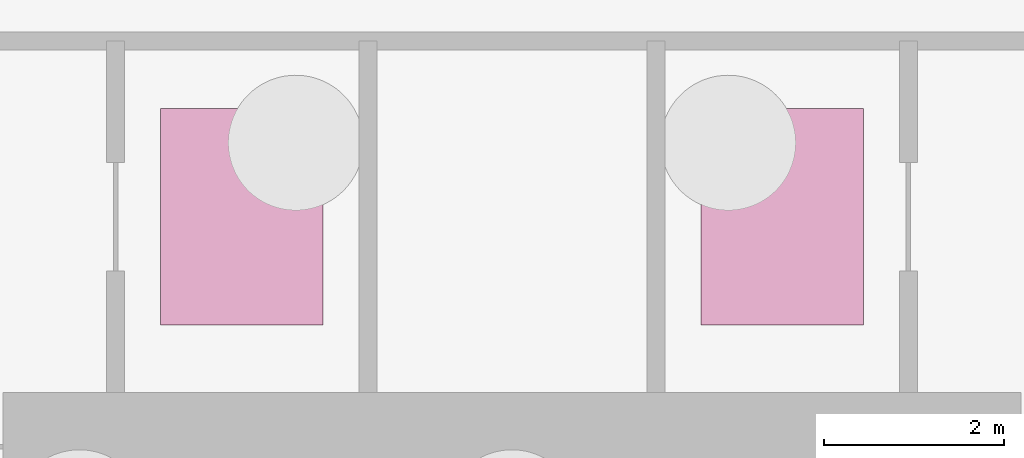
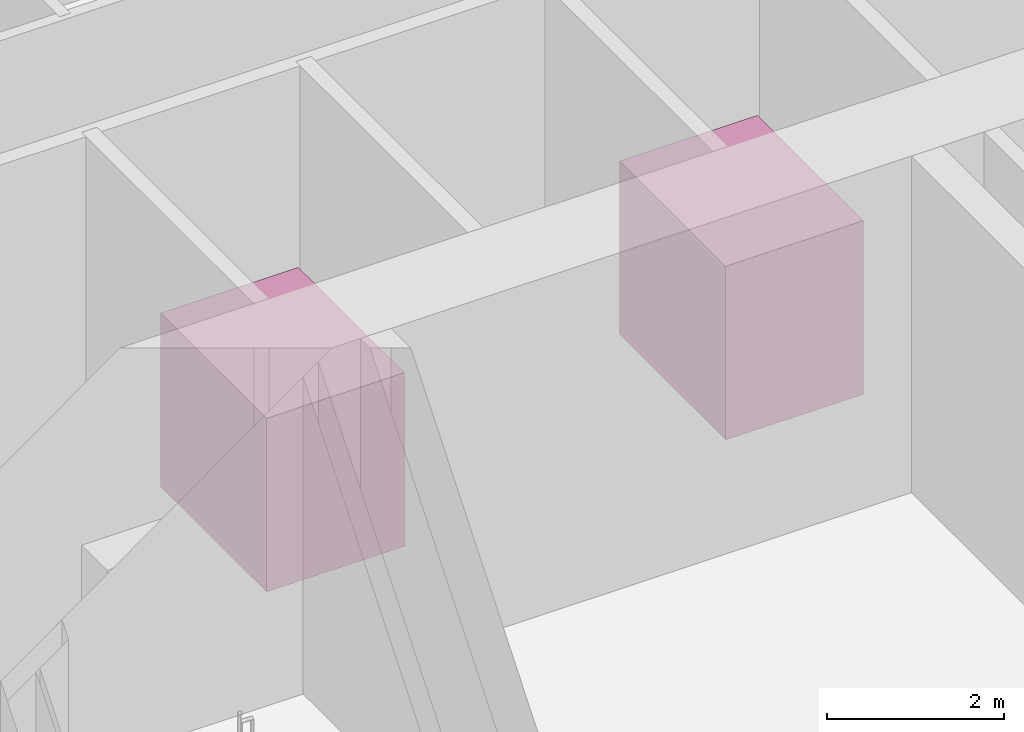
# One storey, part 7 of 7: 2 transport elements.
"""IFC4 building model written with IfcOpenShell, lengths in metres."""

from ifc_helpers import new_model, si_unit, direction, frame, origin, origin_2d, place, context, subcontext, project, spatial, rectangle, extrude, material, type_object, element, save


model = new_model("IFC4")

# Units and contexts
model_context = context("Model", 3, precision=1e-05, world=origin(), true_north=direction((0.0, 1.0)))
body_context = subcontext(model_context, "Body", "Model", "MODEL_VIEW")
ifc_project = project(units=[si_unit("LENGTHUNIT", "METRE"), si_unit("AREAUNIT", "SQUARE_METRE"), si_unit("VOLUMEUNIT", "CUBIC_METRE"), si_unit("PLANEANGLEUNIT", "RADIAN"), si_unit("MASSUNIT", "GRAM", prefix="KILO")], contexts=[model_context])

# Site, building, storey
site_placement = place(None, origin())
site = spatial("IfcSite", under=ifc_project, at=site_placement, CompositionType="ELEMENT")
building_placement = place(site_placement, origin())
building = spatial("IfcBuilding", under=site, at=building_placement, Name="Ostrander Bayou Hotel Tower", CompositionType="ELEMENT")
storey_placement = place(building_placement, frame((0.0, 0.0, -5.0)))
storey = spatial("IfcBuildingStorey", under=building, at=storey_placement, Name="B1", CompositionType="ELEMENT", Elevation=-5.0)

# Transport elements
ifc_material = material(Name="ELV2 service and fire-fighting lift car")
transport_element_type = type_object("IfcTransportElementType", Name="ELV2 service and fire-fighting lift car", PredefinedType="ELEVATOR", material=ifc_material)
for number, where, z_axis, x_axis, name in (
    (1, (-3.0, 11.64990234375, 0.0), (0.0, 0.0, 1.0), (1.0, 0.0, 0.0), "Service and fire-fighting lift FF1"),
    (2, (3.0, 11.64990234375, 0.0), (0.0, 0.0, 1.0), (1.0, 0.0, 0.0), "Service and fire-fighting lift FF2"),
):
    element("IfcTransportElement", number, at=place(storey_placement, frame(where, z_axis=z_axis, x_axis=x_axis)), inside=storey, type_object=transport_element_type, Name=name, PredefinedType="ELEVATOR", context=body_context, shape_type="SweptSolid", body=[
        extrude(rectangle(XDim=1.800048828125, YDim=2.39990234375, at=origin_2d()), origin(), (0.0, 0.0, 1.0), 2.39990234375),
    ])

save(model, "model.ifc")
